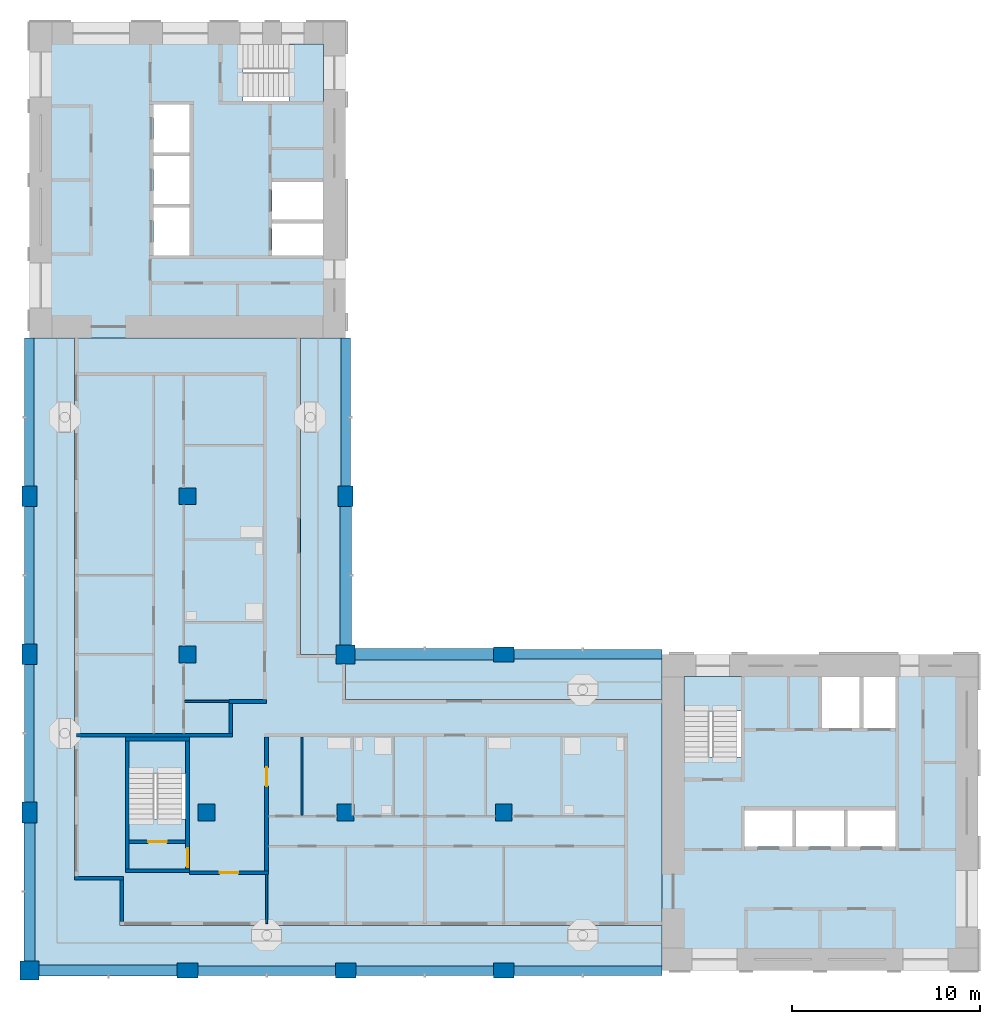
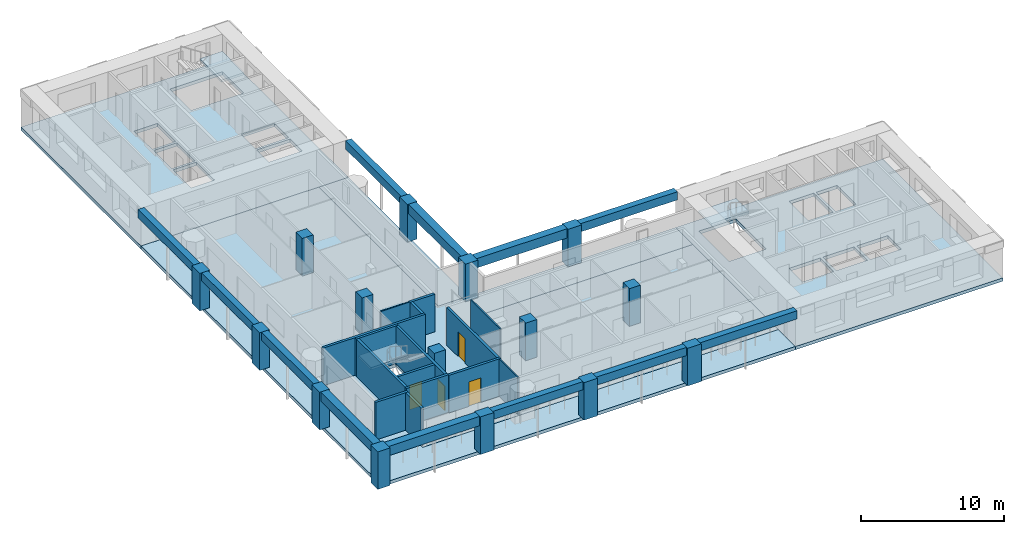
# One storey, part 1 of 11: 15 columns, 15 walls, 12 beams, 10 slabs, 4 doors, 4 openings, 3 elements without a shape of their own.
"""IFC4 building model written with IfcOpenShell, lengths in metres."""

from ifc_helpers import new_model, si_unit, direction, frame, frame_2d, origin, origin_2d, place, context, subcontext, project, spatial, polyline, rectangle, outline, extrude, material, layer, layer_set, material_profile, profile_set, type_object, element, fill, aggregate, save


model = new_model("IFC4")

# Units and contexts
model_context = context("Model", 3, precision=1e-05, world=origin(), true_north=direction((0.0, 1.0)))
body_context = subcontext(model_context, "Body", "Model", "MODEL_VIEW")
ifc_project = project(units=[si_unit("LENGTHUNIT", "METRE"), si_unit("AREAUNIT", "SQUARE_METRE"), si_unit("VOLUMEUNIT", "CUBIC_METRE"), si_unit("PLANEANGLEUNIT", "RADIAN"), si_unit("MASSUNIT", "GRAM", prefix="KILO")], contexts=[model_context])

# Site, building, storey
site_placement = place(None, origin())
site = spatial("IfcSite", under=ifc_project, at=site_placement, CompositionType="ELEMENT")
building_placement = place(site_placement, origin())
building = spatial("IfcBuilding", under=site, at=building_placement, Name="Vermilion Gate Residences", CompositionType="ELEMENT")
storey_placement = place(building_placement, frame((0.0, 0.0, 263.199951171875)))
storey = spatial("IfcBuildingStorey", under=building, at=storey_placement, Name="L69", CompositionType="ELEMENT", Elevation=263.199951171875)

# Columns
ifc_material_1 = material(Name="Concrete C50", Category="concrete")
ifc_material_profile_1 = material_profile(ifc_material_1, rectangle(XDim=1.0, YDim=1.0, at=origin_2d()), Name="RC-1000x1000")
ifc_profile_set_1 = profile_set([ifc_material_profile_1], Name="Concrete C50")
column_type_1 = type_object("IfcColumnType", Name="RC COLUMN 1000 X 1000 C50", PredefinedType="COLUMN", material=ifc_profile_set_1)
for number, where, z_axis, x_axis, name in (
    (1, (8.39990234375, 8.39990234375, 0.0), (0.0, 0.0, 1.0), (1.0, 0.0, 0.0), "Column 2-B L69"),
    (2, (25.199951171875, 25.199951171875, 0.0), (0.0, 0.0, 1.0), (1.0, 0.0, 0.0), "Column 4-D L69"),
):
    element("IfcColumn", number, at=place(storey_placement, frame(where, z_axis=z_axis, x_axis=x_axis)), inside=storey, type_object=column_type_1, Name=name, PredefinedType="COLUMN", context=body_context, shape_type="SweptSolid", body=[
        extrude(rectangle(XDim=1.0, YDim=1.0, at=origin_2d()), origin(), (0.0, 0.0, 1.0), 3.219970703125),
    ])
ifc_material_2 = material(Name="Concrete C50", Category="concrete")
ifc_material_profile_2 = material_profile(ifc_material_2, rectangle(XDim=1.10009765625, YDim=0.800048828125, at=origin_2d()), Name="RC-1100x800")
ifc_profile_set_2 = profile_set([ifc_material_profile_2], Name="Concrete C50")
column_type_2 = type_object("IfcColumnType", Name="RC COLUMN 1100 X 800 C50", PredefinedType="COLUMN", material=ifc_profile_set_2)
for number, where, z_axis, x_axis, name in (
    (3, (8.39990234375, 16.800048828125, 0.0), (0.0, 0.0, 1.0), (0.0, 1.0, 0.0), "Column 2-C L69"),
    (4, (8.39990234375, 25.199951171875, 0.0), (0.0, 0.0, 1.0), (0.0, 1.0, 0.0), "Column 2-D L69"),
    (5, (8.39990234375, 33.60009765625, 0.0), (0.0, 0.0, 1.0), (0.0, 1.0, 0.0), "Column 2-E L69"),
    (6, (16.800048828125, 8.39990234375, 0.0), (0.0, 0.0, 1.0), (1.0, 0.0, 0.0), "Column 3-B L69"),
    (7, (25.199951171875, 8.39990234375, 0.0), (0.0, 0.0, 1.0), (1.0, 0.0, 0.0), "Column 4-B L69"),
    (8, (25.199951171875, 33.60009765625, 0.0), (0.0, 0.0, 1.0), (0.0, 1.0, 0.0), "Column 4-E L69"),
    (9, (33.60009765625, 8.39990234375, 0.0), (0.0, 0.0, 1.0), (1.0, 0.0, 0.0), "Column 5-B L69"),
    (10, (33.60009765625, 25.199951171875, 0.0), (0.0, 0.0, 1.0), (1.0, 0.0, 0.0), "Column 5-D L69"),
):
    element("IfcColumn", number, at=place(storey_placement, frame(where, z_axis=z_axis, x_axis=x_axis)), inside=storey, type_object=column_type_2, Name=name, PredefinedType="COLUMN", context=body_context, shape_type="SweptSolid", body=[
        extrude(rectangle(XDim=1.10009765625, YDim=0.800048828125, at=origin_2d()), origin(), (0.0, 0.0, 1.0), 3.219970703125),
    ])
ifc_material_3 = material(Name="Concrete C50", Category="concrete")
ifc_material_profile_3 = material_profile(ifc_material_3, rectangle(XDim=0.89990234375, YDim=0.89990234375, at=origin_2d()), Name="RC-900x900")
ifc_profile_set_3 = profile_set([ifc_material_profile_3], Name="Concrete C50")
column_type_3 = type_object("IfcColumnType", Name="RC COLUMN 900 X 900 C50", PredefinedType="COLUMN", material=ifc_profile_set_3)
for number, where, z_axis, x_axis, name in (
    (11, (17.800048828125, 16.800048828125, 0.0), (0.0, 0.0, 1.0), (1.0, 0.0, 0.0), "Column 3-C L69"),
    (12, (16.800048828125, 25.199951171875, 0.0), (0.0, 0.0, 1.0), (1.0, 0.0, 0.0), "Column 3-D L69"),
    (13, (16.800048828125, 33.60009765625, 0.0), (0.0, 0.0, 1.0), (1.0, 0.0, 0.0), "Column 3-E L69"),
    (14, (25.199951171875, 16.800048828125, 0.0), (0.0, 0.0, 1.0), (1.0, 0.0, 0.0), "Column 4-C L69"),
    (15, (33.60009765625, 16.800048828125, 0.0), (0.0, 0.0, 1.0), (1.0, 0.0, 0.0), "Column 5-C L69"),
):
    element("IfcColumn", number, at=place(storey_placement, frame(where, z_axis=z_axis, x_axis=x_axis)), inside=storey, type_object=column_type_3, Name=name, PredefinedType="COLUMN", context=body_context, shape_type="SweptSolid", body=[
        extrude(rectangle(XDim=0.89990234375, YDim=0.89990234375, at=origin_2d()), origin(), (0.0, 0.0, 1.0), 3.219970703125),
    ])

# Beams
ifc_material_4 = material(Name="Concrete C60 red-oxide pigmented", Category="concrete")
ifc_material_profile_4 = material_profile(ifc_material_4, rectangle(XDim=0.60009765625, YDim=0.800048828125, at=origin_2d()), Name="RC-600x800")
ifc_profile_set_4 = profile_set([ifc_material_profile_4], Name="Concrete C60 red-oxide pigmented")
beam_type_1 = type_object("IfcBeamType", Name="RC CORNER EDGE BEAM 600 X 800 C60", PredefinedType="BEAM", material=ifc_profile_set_4)
for number, where, z_axis, x_axis, name in (
    (16, (8.89990234375, 8.39990234375, 2.820068359375), (1.0, 0.0, 0.0), (0.0, 1.0, 0.0), "Corner edge beam L69 1"),
    (17, (8.39990234375, 8.89990234375, 2.820068359375), (0.0, 1.0, 0.0), (-1.0, 0.0, 0.0), "Corner edge beam L69 2"),
    (18, (25.199951171875, 25.699951171875, 2.820068359375), (0.0, 1.0, 0.0), (-1.0, 0.0, 0.0), "Corner edge beam L69 7"),
    (19, (25.699951171875, 25.199951171875, 2.820068359375), (1.0, 0.0, 0.0), (0.0, 1.0, 0.0), "Corner edge beam L69 10"),
):
    element("IfcBeam", number, at=place(storey_placement, frame(where, z_axis=z_axis, x_axis=x_axis)), inside=storey, type_object=beam_type_1, Name=name, PredefinedType="BEAM", context=body_context, shape_type="SweptSolid", body=[
        extrude(rectangle(XDim=0.60009765625, YDim=0.800048828125, at=origin_2d()), origin(), (0.0, 0.0, 1.0), 7.35009765625),
    ])
ifc_material_5 = material(Name="Concrete C60 red-oxide pigmented", Category="concrete")
ifc_material_profile_5 = material_profile(ifc_material_5, rectangle(XDim=0.5, YDim=0.699951171875, at=origin_2d()), Name="RC-500x700")
ifc_profile_set_5 = profile_set([ifc_material_profile_5], Name="Concrete C60 red-oxide pigmented")
beam_type_2 = type_object("IfcBeamType", Name="RC EDGE BEAM 500 X 700 C60", PredefinedType="BEAM", material=ifc_profile_set_5)
beam_1_placement = place(storey_placement, frame((8.39990234375, 17.35009765625, 2.8701171875), z_axis=(0.0, 1.0, 0.0), x_axis=(-1.0, 0.0, 0.0)))
element("IfcBeam", 20, at=beam_1_placement, inside=storey, type_object=beam_type_2, Name="Edge beam L69 3", PredefinedType="BEAM", context=body_context, shape_type="SweptSolid", body=[
    extrude(rectangle(XDim=0.5, YDim=0.699951171875, at=origin_2d()), origin(), (0.0, 0.0, 1.0), 7.2998046875),
])
beam_2_placement = place(storey_placement, frame((8.39990234375, 25.75, 2.8701171875), z_axis=(0.0, 1.0, 0.0), x_axis=(-1.0, 0.0, 0.0)))
element("IfcBeam", 21, at=beam_2_placement, inside=storey, type_object=beam_type_2, Name="Edge beam L69 4", PredefinedType="BEAM", context=body_context, shape_type="SweptSolid", body=[
    extrude(rectangle(XDim=0.5, YDim=0.699951171875, at=origin_2d()), origin(), (0.0, 0.0, 1.0), 7.300048828125),
])
beam_3_placement = place(storey_placement, frame((8.39990234375, 34.14990234375, 2.8701171875), z_axis=(0.0, 1.0, 0.0), x_axis=(-1.0, 0.0, 0.0)))
element("IfcBeam", 22, at=beam_3_placement, inside=storey, type_object=beam_type_2, Name="Edge beam L69 5", PredefinedType="BEAM", context=body_context, shape_type="SweptSolid", body=[
    extrude(rectangle(XDim=0.5, YDim=0.699951171875, at=origin_2d()), origin(), (0.0, 0.0, 1.0), 7.85009765625),
])
beam_4_placement = place(storey_placement, frame((17.35009765625, 8.39990234375, 2.8701171875), z_axis=(1.0, 0.0, 0.0), x_axis=(0.0, 1.0, 0.0)))
element("IfcBeam", 23, at=beam_4_placement, inside=storey, type_object=beam_type_2, Name="Edge beam L69 6", PredefinedType="BEAM", context=body_context, shape_type="SweptSolid", body=[
    extrude(rectangle(XDim=0.5, YDim=0.699951171875, at=origin_2d()), origin(), (0.0, 0.0, 1.0), 7.2998046875),
])
beam_5_placement = place(storey_placement, frame((25.199951171875, 34.14990234375, 2.8701171875), z_axis=(0.0, 1.0, 0.0), x_axis=(-1.0, 0.0, 0.0)))
element("IfcBeam", 24, at=beam_5_placement, inside=storey, type_object=beam_type_2, Name="Edge beam L69 8", PredefinedType="BEAM", context=body_context, shape_type="SweptSolid", body=[
    extrude(rectangle(XDim=0.5, YDim=0.699951171875, at=origin_2d()), origin(), (0.0, 0.0, 1.0), 7.85009765625),
])
beam_6_placement = place(storey_placement, frame((25.75, 8.39990234375, 2.8701171875), z_axis=(1.0, 0.0, 0.0), x_axis=(0.0, 1.0, 0.0)))
element("IfcBeam", 25, at=beam_6_placement, inside=storey, type_object=beam_type_2, Name="Edge beam L69 9", PredefinedType="BEAM", context=body_context, shape_type="SweptSolid", body=[
    extrude(rectangle(XDim=0.5, YDim=0.699951171875, at=origin_2d()), origin(), (0.0, 0.0, 1.0), 7.300048828125),
])
for number, where, z_axis, x_axis, name in (
    (26, (34.14990234375, 8.39990234375, 2.8701171875), (1.0, 0.0, 0.0), (0.0, 1.0, 0.0), "Edge beam L69 11"),
    (27, (34.14990234375, 25.199951171875, 2.8701171875), (1.0, 0.0, 0.0), (0.0, 1.0, 0.0), "Edge beam L69 12"),
):
    element("IfcBeam", number, at=place(storey_placement, frame(where, z_axis=z_axis, x_axis=x_axis)), inside=storey, type_object=beam_type_2, Name=name, PredefinedType="BEAM", context=body_context, shape_type="SweptSolid", body=[
        extrude(rectangle(XDim=0.5, YDim=0.699951171875, at=origin_2d()), origin(), (0.0, 0.0, 1.0), 7.85009765625),
    ])

# Slabs
ifc_material_6 = material(Name="Concrete C50", Category="concrete")
ifc_layer_1 = layer(ifc_material_6, 0.280029296875)
ifc_layer_set_1 = layer_set([ifc_layer_1], Name="RC CORE FLOOR SLAB 280 C50")
slab_type_1 = type_object("IfcSlabType", Name="RC CORE FLOOR SLAB 280 C50", PredefinedType="FLOOR", material=ifc_layer_set_1)
slab_1_placement = place(storey_placement, frame((0.0, 0.0, -0.280029296875)))
element("IfcSlab", 28, at=slab_1_placement, inside=storey, type_object=slab_type_1, Name="Core floor slab A69", PredefinedType="FLOOR", context=body_context, shape_type="SweptSolid", body=[
    extrude(outline(polyline([(42.0, 8.39990234375), (58.800048828125, 8.39990234375), (58.800048828125, 25.199951171875), (42.0, 25.199951171875), (42.0, 8.39990234375)]), holes=[polyline([(46.39990234375, 15.0), (46.39990234375, 16.89990234375), (48.933349609375, 16.89990234375), (48.933349609375, 15.0), (46.39990234375, 15.0)]), polyline([(49.13330078125, 16.89990234375), (51.666748046875, 16.89990234375), (51.666748046875, 15.0), (49.13330078125, 15.0), (49.13330078125, 16.89990234375)]), polyline([(51.86669921875, 16.89990234375), (54.39990234375, 16.89990234375), (54.39990234375, 15.0), (51.86669921875, 15.0), (51.86669921875, 16.89990234375)]), polyline([(43.199951171875, 19.75), (43.199951171875, 24.0), (46.199951171875, 24.0), (46.199951171875, 19.75), (43.199951171875, 19.75)]), polyline([(50.5, 24.0), (52.5, 24.0), (52.5, 21.300048828125), (50.5, 21.300048828125), (50.5, 24.0)]), polyline([(52.699951171875, 24.0), (54.39990234375, 24.0), (54.39990234375, 21.300048828125), (52.699951171875, 21.300048828125), (52.699951171875, 24.0)])]), origin(), (0.0, 0.0, 1.0), 0.280029296875),
])
slab_2_placement = place(storey_placement, frame((0.0, 0.0, -0.280029296875)))
element("IfcSlab", 29, at=slab_2_placement, inside=storey, type_object=slab_type_1, Name="Core floor slab B69", PredefinedType="FLOOR", context=body_context, shape_type="SweptSolid", body=[
    extrude(outline(polyline([(8.39990234375, 42.0), (25.199951171875, 42.0), (25.199951171875, 58.800048828125), (8.39990234375, 58.800048828125), (8.39990234375, 42.0)]), holes=[polyline([(21.300048828125, 46.39990234375), (21.300048828125, 48.10009765625), (24.0, 48.10009765625), (24.0, 46.39990234375), (21.300048828125, 46.39990234375)]), polyline([(15.0, 48.933349609375), (16.89990234375, 48.933349609375), (16.89990234375, 46.39990234375), (15.0, 46.39990234375), (15.0, 48.933349609375)]), polyline([(21.300048828125, 50.300048828125), (24.0, 50.300048828125), (24.0, 48.300048828125), (21.300048828125, 48.300048828125), (21.300048828125, 50.300048828125)]), polyline([(15.0, 49.13330078125), (15.0, 51.666748046875), (16.89990234375, 51.666748046875), (16.89990234375, 49.13330078125), (15.0, 49.13330078125)]), polyline([(15.0, 54.39990234375), (16.89990234375, 54.39990234375), (16.89990234375, 51.86669921875), (15.0, 51.86669921875), (15.0, 54.39990234375)]), polyline([(19.75, 57.60009765625), (24.0, 57.60009765625), (24.0, 54.60009765625), (19.75, 54.60009765625), (19.75, 57.60009765625)])]), origin(), (0.0, 0.0, 1.0), 0.280029296875),
])
slab_3_placement = place(storey_placement, frame((0.0, 0.0, -0.280029296875)))
element("IfcSlab", 30, at=slab_3_placement, inside=storey, type_object=slab_type_1, Name="Apex stair floor slab 69", PredefinedType="FLOOR", context=body_context, shape_type="SweptSolid", body=[
    extrude(outline(polyline([(13.5, 13.60009765625), (16.89990234375, 13.60009765625), (16.89990234375, 20.800048828125), (13.5, 20.800048828125), (13.5, 13.60009765625)]), holes=[polyline([(16.699951171875, 20.60009765625), (16.699951171875, 16.449951171875), (13.699951171875, 16.449951171875), (13.699951171875, 20.60009765625), (16.699951171875, 20.60009765625)])]), origin(), (0.0, 0.0, 1.0), 0.280029296875),
])
ifc_material_7 = material(Name="Concrete C50", Category="concrete")
ifc_layer_2 = layer(ifc_material_7, 0.280029296875)
ifc_layer_set_2 = layer_set([ifc_layer_2], Name="RC FLAT PLATE 280 C50")
slab_type_2 = type_object("IfcSlabType", Name="RC FLAT PLATE 280 C50", PredefinedType="FLOOR", material=ifc_layer_set_2)
slab_4_placement = place(storey_placement, frame((0.0, 0.0, -0.280029296875)))
element("IfcSlab", 31, at=slab_4_placement, inside=storey, type_object=slab_type_2, Name="Floor slab L69", PredefinedType="FLOOR", context=body_context, shape_type="SweptSolid", body=[
    extrude(outline(polyline([(22.800048828125, 25.199951171875), (22.800048828125, 42.0), (10.800048828125, 42.0), (10.800048828125, 13.199951171875), (13.199951171875, 13.199951171875), (13.199951171875, 10.800048828125), (42.0, 10.800048828125), (42.0, 22.800048828125), (25.199951171875, 22.800048828125), (25.199951171875, 25.199951171875), (22.800048828125, 25.199951171875)]), holes=[polyline([(13.5, 13.60009765625), (13.5, 20.800048828125), (16.89990234375, 20.800048828125), (16.89990234375, 13.60009765625), (13.5, 13.60009765625)])]), origin(), (0.0, 0.0, 1.0), 0.280029296875),
])
ifc_material_8 = material(Name="Concrete C50 red-oxide pigmented", Category="concrete")
ifc_layer_3 = layer(ifc_material_8, 0.280029296875)
ifc_layer_set_3 = layer_set([ifc_layer_3], Name="RC LOGGIA SLAB 280 C50")
slab_type_3 = type_object("IfcSlabType", Name="RC LOGGIA SLAB 280 C50", PredefinedType="FLOOR", material=ifc_layer_set_3)
slab_5_placement = place(storey_placement, frame((0.0, 0.0, -0.280029296875)))
element("IfcSlab", 32, at=slab_5_placement, inside=storey, type_object=slab_type_3, Name="Loggia slab L69", PredefinedType="FLOOR", context=body_context, shape_type="SweptSolid", body=[
    extrude(outline(polyline([(8.39990234375, 8.39990234375), (42.0, 8.39990234375), (42.0, 10.800048828125), (13.199951171875, 10.800048828125), (13.199951171875, 13.199951171875), (10.800048828125, 13.199951171875), (10.800048828125, 42.0), (8.39990234375, 42.0), (8.39990234375, 8.39990234375)])), origin(), (0.0, 0.0, 1.0), 0.280029296875),
])
slab_6_placement = place(storey_placement, frame((0.0, 0.0, -0.280029296875)))
element("IfcSlab", 33, at=slab_6_placement, inside=storey, type_object=slab_type_3, Name="Loggia slab L69", PredefinedType="FLOOR", context=body_context, shape_type="SweptSolid", body=[
    extrude(outline(polyline([(25.199951171875, 22.800048828125), (42.0, 22.800048828125), (42.0, 25.199951171875), (25.199951171875, 25.199951171875), (25.199951171875, 22.800048828125)])), origin(), (0.0, 0.0, 1.0), 0.280029296875),
])
slab_7_placement = place(storey_placement, frame((0.0, 0.0, -0.280029296875)))
element("IfcSlab", 34, at=slab_7_placement, inside=storey, type_object=slab_type_3, Name="Loggia slab L69", PredefinedType="FLOOR", context=body_context, shape_type="SweptSolid", body=[
    extrude(outline(polyline([(25.199951171875, 42.0), (22.800048828125, 42.0), (22.800048828125, 25.199951171875), (25.199951171875, 25.199951171875), (25.199951171875, 42.0)])), origin(), (0.0, 0.0, 1.0), 0.280029296875),
])

# Stair, slab
ifc_material_9 = material(Name="Concrete C50", Category="concrete")
stair_type = type_object("IfcStairType", Name="SPECIAL ESCAPE STAIR 1300", PredefinedType="HALF_TURN_STAIR", material=ifc_material_9)
stair_1_placement = place(storey_placement, origin())
stair_1 = element("IfcStair", 35, at=stair_1_placement, inside=storey, type_object=stair_type, Name="Special escape stair STA1-69", PredefinedType="HALF_TURN_STAIR")
ifc_material_10 = material(Name="Concrete C50", Category="concrete")
ifc_layer_4 = layer(ifc_material_10, 0.199951171875)
ifc_layer_set_4 = layer_set([ifc_layer_4], Name="STAIR LANDING 200 C50")
slab_type_4 = type_object("IfcSlabType", Name="STAIR LANDING 200 C50", PredefinedType="LANDING", material=ifc_layer_set_4)
slab_8_placement = place(storey_placement, frame((0.0, 0.0, 1.550048828125)))
slab_8 = element("IfcSlab", 36, at=slab_8_placement, type_object=slab_type_4, Name="STA1-69 landing 1", PredefinedType="LANDING", context=body_context, shape_type="SweptSolid", body=[
    extrude(outline(polyline([(46.219970703125, 22.179931640625), (46.219970703125, 24.02001953125), (43.179931640625, 24.02001953125), (43.179931640625, 22.179931640625), (46.219970703125, 22.179931640625)])), origin(), (0.0, 0.0, 1.0), 0.199951171875),
])
aggregate(stair_1, [slab_8])

stair_2_placement = place(storey_placement, origin())
stair_2 = element("IfcStair", 37, at=stair_2_placement, inside=storey, type_object=stair_type, Name="Special escape stair STB1-69", PredefinedType="HALF_TURN_STAIR")
slab_9_placement = place(storey_placement, frame((0.0, 0.0, 1.550048828125)))
slab_9 = element("IfcSlab", 38, at=slab_9_placement, type_object=slab_type_4, Name="STB1-69 landing 1", PredefinedType="LANDING", context=body_context, shape_type="SweptSolid", body=[
    extrude(outline(polyline([(24.02001953125, 54.580078125), (24.02001953125, 57.6201171875), (22.179931640625, 57.6201171875), (22.179931640625, 54.580078125), (24.02001953125, 54.580078125)])), origin(), (0.0, 0.0, 1.0), 0.199951171875),
])
aggregate(stair_2, [slab_9])

stair_3_placement = place(storey_placement, origin())
stair_3 = element("IfcStair", 39, at=stair_3_placement, inside=storey, type_object=stair_type, Name="Special escape stair STC1-69", PredefinedType="HALF_TURN_STAIR")
slab_10_placement = place(storey_placement, frame((0.0, 0.0, 1.550048828125)))
slab_10 = element("IfcSlab", 40, at=slab_10_placement, type_object=slab_type_4, Name="STC1-69 landing 1", PredefinedType="LANDING", context=body_context, shape_type="SweptSolid", body=[
    extrude(outline(polyline([(16.719970703125, 18.8798828125), (16.719970703125, 20.6201171875), (13.679931640625, 20.6201171875), (13.679931640625, 18.8798828125), (16.719970703125, 18.8798828125)])), origin(), (0.0, 0.0, 1.0), 0.199951171875),
])
aggregate(stair_3, [slab_10])

# Walls
ifc_material_11 = material(Name="Insulated steel stud wall with terracotta rainscreen", Category="masonry")
ifc_layer_5 = layer(ifc_material_11, 0.199951171875)
ifc_layer_set_5 = layer_set([ifc_layer_5], Name="EXTERNAL WALL 200 TERRACOTTA RAINSCREEN")
wall_type_1 = type_object("IfcWallType", Name="EXTERNAL WALL 200 TERRACOTTA RAINSCREEN", PredefinedType="SOLIDWALL", material=ifc_layer_set_5)
wall_1_placement = place(storey_placement, frame((10.800048828125, 13.300048828125, 0.0), z_axis=(0.0, 0.0, 1.0), x_axis=(1.0, 0.0, 0.0)))
element("IfcWall", 41, at=wall_1_placement, inside=storey, type_object=wall_type_1, Name="External wall", PredefinedType="SOLIDWALL", context=body_context, shape_type="SweptSolid", body=[
    extrude(rectangle(XDim=2.599853515625, YDim=0.199951171875, at=frame_2d((1.2998046875, 0.0))), origin(), (0.0, 0.0, 1.0), 3.219970703125),
])
wall_2_placement = place(storey_placement, frame((13.300048828125, 13.199951171875, 0.0), z_axis=(0.0, 0.0, 1.0), x_axis=(0.0, -1.0, 0.0)))
element("IfcWall", 42, at=wall_2_placement, inside=storey, type_object=wall_type_1, Name="External wall", PredefinedType="SOLIDWALL", context=body_context, shape_type="SweptSolid", body=[
    extrude(rectangle(XDim=2.199951171875, YDim=0.199951171875, at=frame_2d((1.10009765625, 0.0))), origin(), (0.0, 0.0, 1.0), 3.219970703125),
])
ifc_material_12 = material(Name="Plasterboard on steel studs", Category="steel")
ifc_layer_6 = layer(ifc_material_12, 0.10009765625)
ifc_layer_set_6 = layer_set([ifc_layer_6], Name="PARTITION 100")
wall_type_2 = type_object("IfcWallType", Name="PARTITION 100", PredefinedType="PARTITIONING", material=ifc_layer_set_6)
wall_3_placement = place(storey_placement, frame((16.64990234375, 22.699951171875, 0.0), z_axis=(0.0, 0.0, 1.0), x_axis=(1.0, 0.0, 0.0)))
element("IfcWall", 43, at=wall_3_placement, inside=storey, type_object=wall_type_2, Name="Partition", PredefinedType="PARTITIONING", context=body_context, shape_type="SweptSolid", body=[
    extrude(rectangle(XDim=2.35009765625, YDim=0.10009765625, at=frame_2d((1.175048828125, 0.0))), origin(), (0.0, 0.0, 1.0), 3.219970703125),
])
wall_4_placement = place(storey_placement, frame((21.0, 10.89990234375, 0.0), z_axis=(0.0, 0.0, 1.0), x_axis=(0.0, 1.0, 0.0)))
element("IfcWall", 44, at=wall_4_placement, inside=storey, type_object=wall_type_2, Name="Partition", PredefinedType="PARTITIONING", context=body_context, shape_type="SweptSolid", body=[
    extrude(rectangle(XDim=2.60009765625, YDim=0.10009765625, at=frame_2d((1.300048828125, 0.0))), origin(), (0.0, 0.0, 1.0), 3.219970703125),
])
wall_5_placement = place(storey_placement, frame((22.884033203125, 16.64990234375, 0.0), z_axis=(0.0, 0.0, 1.0), x_axis=(0.0, 1.0, 0.0)))
element("IfcWall", 45, at=wall_5_placement, inside=storey, type_object=wall_type_2, Name="Partition", PredefinedType="PARTITIONING", context=body_context, shape_type="SweptSolid", body=[
    extrude(rectangle(XDim=4.150146484375, YDim=0.10009765625, at=frame_2d((2.0751953125, 0.0))), origin(), (0.0, 0.0, 1.0), 3.219970703125),
])

# Wall, opening, door
ifc_material_13 = material(Name="Fire-rated plasterboard on steel studs", Category="steel")
ifc_layer_7 = layer(ifc_material_13, 0.199951171875)
ifc_layer_set_7 = layer_set([ifc_layer_7], Name="PARTY WALL 200 EI 120")
wall_type_3 = type_object("IfcWallType", Name="PARTY WALL 200 EI 120", PredefinedType="PARTITIONING", material=ifc_layer_set_7)
wall_6_placement = place(storey_placement, frame((16.89990234375, 13.60009765625, 0.0), z_axis=(0.0, 0.0, 1.0), x_axis=(1.0, 0.0, 0.0)))
wall_6 = element("IfcWall", 46, at=wall_6_placement, inside=storey, type_object=wall_type_3, Name="Party and corridor wall", PredefinedType="PARTITIONING", context=body_context, shape_type="SweptSolid", body=[
    extrude(rectangle(XDim=4.2001953125, YDim=0.199951171875, at=frame_2d((2.10009765625, 0.0))), origin(), (0.0, 0.0, 1.0), 3.219970703125),
])
opening_1_placement = place(wall_6_placement, frame((1.60009765625, 0.0, 0.0)))
opening_1 = element("IfcOpeningElement", 47, at=opening_1_placement, cuts=wall_6, Name="Opening DA67001", PredefinedType="OPENING", context=body_context, shape_type="SweptSolid", body=[
    extrude(rectangle(XDim=1.0, YDim=2.10009765625, at=frame_2d((0.5, 1.050048828125))), frame((0.0, 0.10986328125, 0.0), z_axis=(0.0, -1.0, 0.0), x_axis=(1.0, 0.0, 0.0)), (0.0, 0.0, 1.0), 0.219970703125),
])
ifc_material_14 = material(Name="Steel", Category="steel")
door_type_1 = type_object("IfcDoorType", Name="ENTRANCE DOOR 1000 X 2100 FD30", OperationType="SINGLE_SWING_LEFT", PredefinedType="DOOR", material=ifc_material_14)
door_1_placement = place(opening_1_placement, frame((1.0, 0.0, 0.0), z_axis=(0.0, 0.0, 1.0), x_axis=(-1.0, 0.0, 0.0)))
door_1 = element("IfcDoor", 48, at=door_1_placement, inside=storey, type_object=door_type_1, Name="Entrance door", OperationType="SINGLE_SWING_LEFT", OverallHeight=2.10009765625, OverallWidth=1.0, PredefinedType="DOOR", context=body_context, shape_type="SweptSolid", body=[
    extrude(rectangle(XDim=1.0, YDim=2.10009765625, at=frame_2d((0.5, 1.050048828125))), frame((0.0, 0.02490234375, 0.0), z_axis=(0.0, -1.0, 0.0), x_axis=(1.0, 0.0, 0.0)), (0.0, 0.0, 1.0), 0.050048828125),
])
fill(opening_1, door_1)

# Walls
wall_7_placement = place(storey_placement, frame((10.89990234375, 20.89990234375, 0.0), z_axis=(0.0, 0.0, 1.0), x_axis=(1.0, 0.0, 0.0)))
element("IfcWall", 49, at=wall_7_placement, inside=storey, type_object=wall_type_3, Name="Party and corridor wall", PredefinedType="PARTITIONING", context=body_context, shape_type="SweptSolid", body=[
    extrude(rectangle(XDim=8.300048828125, YDim=0.199951171875, at=frame_2d((4.14990234375, 0.0))), origin(), (0.0, 0.0, 1.0), 3.219970703125),
])
wall_8_placement = place(storey_placement, frame((19.0, 22.699951171875, 0.0), z_axis=(0.0, 0.0, 1.0), x_axis=(1.0, 0.0, 0.0)))
element("IfcWall", 50, at=wall_8_placement, inside=storey, type_object=wall_type_3, Name="Party and corridor wall", PredefinedType="PARTITIONING", context=body_context, shape_type="SweptSolid", body=[
    extrude(rectangle(XDim=2.0, YDim=0.199951171875, at=frame_2d((1.0, 0.0))), origin(), (0.0, 0.0, 1.0), 3.219970703125),
])
wall_9_placement = place(storey_placement, frame((19.10009765625, 21.0, 0.0), z_axis=(0.0, 0.0, 1.0), x_axis=(0.0, 1.0, 0.0)))
element("IfcWall", 51, at=wall_9_placement, inside=storey, type_object=wall_type_3, Name="Party and corridor wall", PredefinedType="PARTITIONING", context=body_context, shape_type="SweptSolid", body=[
    extrude(rectangle(XDim=1.60009765625, YDim=0.199951171875, at=frame_2d((0.800048828125, 0.0))), origin(), (0.0, 0.0, 1.0), 3.219970703125),
])

# Wall, opening, door
wall_10_placement = place(storey_placement, frame((21.0, 13.699951171875, 0.0), z_axis=(0.0, 0.0, 1.0), x_axis=(0.0, 1.0, 0.0)))
wall_10 = element("IfcWall", 52, at=wall_10_placement, inside=storey, type_object=wall_type_3, Name="Party and corridor wall", PredefinedType="PARTITIONING", context=body_context, shape_type="SweptSolid", body=[
    extrude(rectangle(XDim=7.10009765625, YDim=0.199951171875, at=frame_2d((3.550048828125, 0.0))), origin(), (0.0, 0.0, 1.0), 3.219970703125),
])
opening_2_placement = place(wall_10_placement, frame((4.5, 0.0, 0.0)))
opening_2 = element("IfcOpeningElement", 53, at=opening_2_placement, cuts=wall_10, Name="Opening DA67023", PredefinedType="OPENING", context=body_context, shape_type="SweptSolid", body=[
    extrude(rectangle(XDim=1.0, YDim=2.10009765625, at=frame_2d((0.5, 1.050048828125))), frame((0.0, 0.10986328125, 0.0), z_axis=(0.0, -1.0, 0.0), x_axis=(1.0, 0.0, 0.0)), (0.0, 0.0, 1.0), 0.219970703125),
])
door_2_placement = place(opening_2_placement, frame((1.0, 0.0, 0.0), z_axis=(0.0, 0.0, 1.0), x_axis=(-1.0, 0.0, 0.0)))
door_2 = element("IfcDoor", 54, at=door_2_placement, inside=storey, type_object=door_type_1, Name="Entrance door", OperationType="SINGLE_SWING_RIGHT", OverallHeight=2.10009765625, OverallWidth=1.0, PredefinedType="DOOR", context=body_context, shape_type="SweptSolid", body=[
    extrude(rectangle(XDim=1.0, YDim=2.10009765625, at=frame_2d((0.5, 1.050048828125))), frame((0.0, 0.02490234375, 0.0), z_axis=(0.0, -1.0, 0.0), x_axis=(1.0, 0.0, 0.0)), (0.0, 0.0, 1.0), 0.050048828125),
])
fill(opening_2, door_2)

# Wall
ifc_material_15 = material(Name="Concrete C60", Category="concrete")
ifc_layer_8 = layer(ifc_material_15, 0.199951171875)
ifc_layer_set_8 = layer_set([ifc_layer_8], Name="RC CORE INTERNAL WALL 200 C60")
wall_type_4 = type_object("IfcWallType", Name="RC CORE INTERNAL WALL 200 C60", PredefinedType="SHEAR", material=ifc_layer_set_8)
wall_11_placement = place(storey_placement, frame((13.60009765625, 13.800048828125, 0.0), z_axis=(0.0, 0.0, 1.0), x_axis=(0.0, 1.0, 0.0)))
element("IfcWall", 55, at=wall_11_placement, inside=storey, type_object=wall_type_4, Name="Core internal wall C69-W", PredefinedType="SHEAR", context=body_context, shape_type="SweptSolid", body=[
    extrude(rectangle(XDim=6.800048828125, YDim=0.199951171875, at=frame_2d((3.39990234375, 0.0))), origin(), (0.0, 0.0, 1.0), 3.219970703125),
])

# Wall, opening, door
wall_12_placement = place(storey_placement, frame((16.800048828125, 13.800048828125, 0.0), z_axis=(0.0, 0.0, 1.0), x_axis=(0.0, 1.0, 0.0)))
wall_12 = element("IfcWall", 56, at=wall_12_placement, inside=storey, type_object=wall_type_4, Name="Core internal wall C69-E", PredefinedType="SHEAR", context=body_context, shape_type="SweptSolid", body=[
    extrude(rectangle(XDim=6.800048828125, YDim=0.199951171875, at=frame_2d((3.39990234375, 0.0))), origin(), (0.0, 0.0, 1.0), 3.219970703125),
])
opening_3_placement = place(wall_12_placement, frame((0.10009765625, 0.0, 0.0)))
opening_3 = element("IfcOpeningElement", 57, at=opening_3_placement, cuts=wall_12, Name="Opening DK69201", PredefinedType="OPENING", context=body_context, shape_type="SweptSolid", body=[
    extrude(rectangle(XDim=1.0, YDim=2.10009765625, at=frame_2d((0.5, 1.050048828125))), frame((0.0, 0.10986328125, 0.0), z_axis=(0.0, -1.0, 0.0), x_axis=(1.0, 0.0, 0.0)), (0.0, 0.0, 1.0), 0.219970703125),
])
ifc_material_16 = material(Name="Steel", Category="steel")
door_type_2 = type_object("IfcDoorType", Name="FIRE DOOR FD60 1000 X 2100", OperationType="SINGLE_SWING_LEFT", PredefinedType="DOOR", material=ifc_material_16)
door_3_placement = place(opening_3_placement, frame((1.0, 0.0, 0.0), z_axis=(0.0, 0.0, 1.0), x_axis=(-1.0, 0.0, 0.0)))
door_3 = element("IfcDoor", 58, at=door_3_placement, inside=storey, type_object=door_type_2, Name="Stair vestibule door C69", OperationType="SINGLE_SWING_RIGHT", OverallHeight=2.10009765625, OverallWidth=1.0, PredefinedType="DOOR", context=body_context, shape_type="SweptSolid", body=[
    extrude(rectangle(XDim=1.0, YDim=2.10009765625, at=frame_2d((0.5, 1.050048828125))), frame((0.0, 0.02490234375, 0.0), z_axis=(0.0, -1.0, 0.0), x_axis=(1.0, 0.0, 0.0)), (0.0, 0.0, 1.0), 0.050048828125),
])
fill(opening_3, door_3)

# Walls
for number, where, z_axis, x_axis, name in (
    (59, (13.5, 13.699951171875, 0.0), (0.0, 0.0, 1.0), (1.0, 0.0, 0.0), "Core internal wall C69-S"),
    (60, (13.5, 20.699951171875, 0.0), (0.0, 0.0, 1.0), (1.0, 0.0, 0.0), "Core internal wall C69-N"),
):
    element("IfcWall", number, at=place(storey_placement, frame(where, z_axis=z_axis, x_axis=x_axis)), inside=storey, type_object=wall_type_4, Name=name, PredefinedType="SHEAR", context=body_context, shape_type="SweptSolid", body=[
        extrude(rectangle(XDim=3.39990234375, YDim=0.199951171875, at=frame_2d((1.699951171875, 0.0))), origin(), (0.0, 0.0, 1.0), 3.219970703125),
    ])

# Wall, opening, door
wall_13_placement = place(storey_placement, frame((13.699951171875, 15.25, 0.0), z_axis=(0.0, 0.0, 1.0), x_axis=(1.0, 0.0, 0.0)))
wall_13 = element("IfcWall", 61, at=wall_13_placement, inside=storey, type_object=wall_type_4, Name="Core internal wall C69-P", PredefinedType="SHEAR", context=body_context, shape_type="SweptSolid", body=[
    extrude(rectangle(XDim=3.0, YDim=0.199951171875, at=frame_2d((1.5, 0.0))), origin(), (0.0, 0.0, 1.0), 3.219970703125),
])
opening_4_placement = place(wall_13_placement, frame((1.0, 0.0, 0.0)))
opening_4 = element("IfcOpeningElement", 62, at=opening_4_placement, cuts=wall_13, Name="Opening DK69202", PredefinedType="OPENING", context=body_context, shape_type="SweptSolid", body=[
    extrude(rectangle(XDim=1.0, YDim=2.10009765625, at=frame_2d((0.5, 1.050048828125))), frame((0.0, 0.10986328125, 0.0), z_axis=(0.0, -1.0, 0.0), x_axis=(1.0, 0.0, 0.0)), (0.0, 0.0, 1.0), 0.219970703125),
])
door_4_placement = place(opening_4_placement, origin())
door_4 = element("IfcDoor", 63, at=door_4_placement, inside=storey, type_object=door_type_2, Name="Stair door C69", OperationType="SINGLE_SWING_LEFT", OverallHeight=2.10009765625, OverallWidth=1.0, PredefinedType="DOOR", context=body_context, shape_type="SweptSolid", body=[
    extrude(rectangle(XDim=1.0, YDim=2.10009765625, at=frame_2d((0.5, 1.050048828125))), frame((0.0, 0.02490234375, 0.0), z_axis=(0.0, -1.0, 0.0), x_axis=(1.0, 0.0, 0.0)), (0.0, 0.0, 1.0), 0.050048828125),
])
fill(opening_4, door_4)

save(model, "model.ifc")
